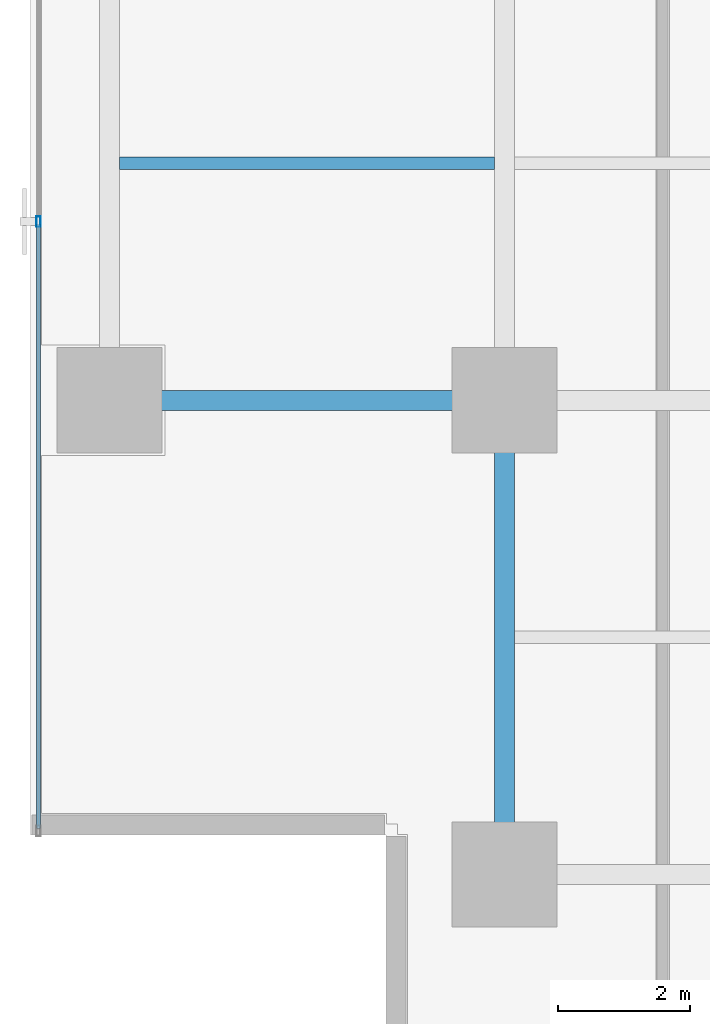
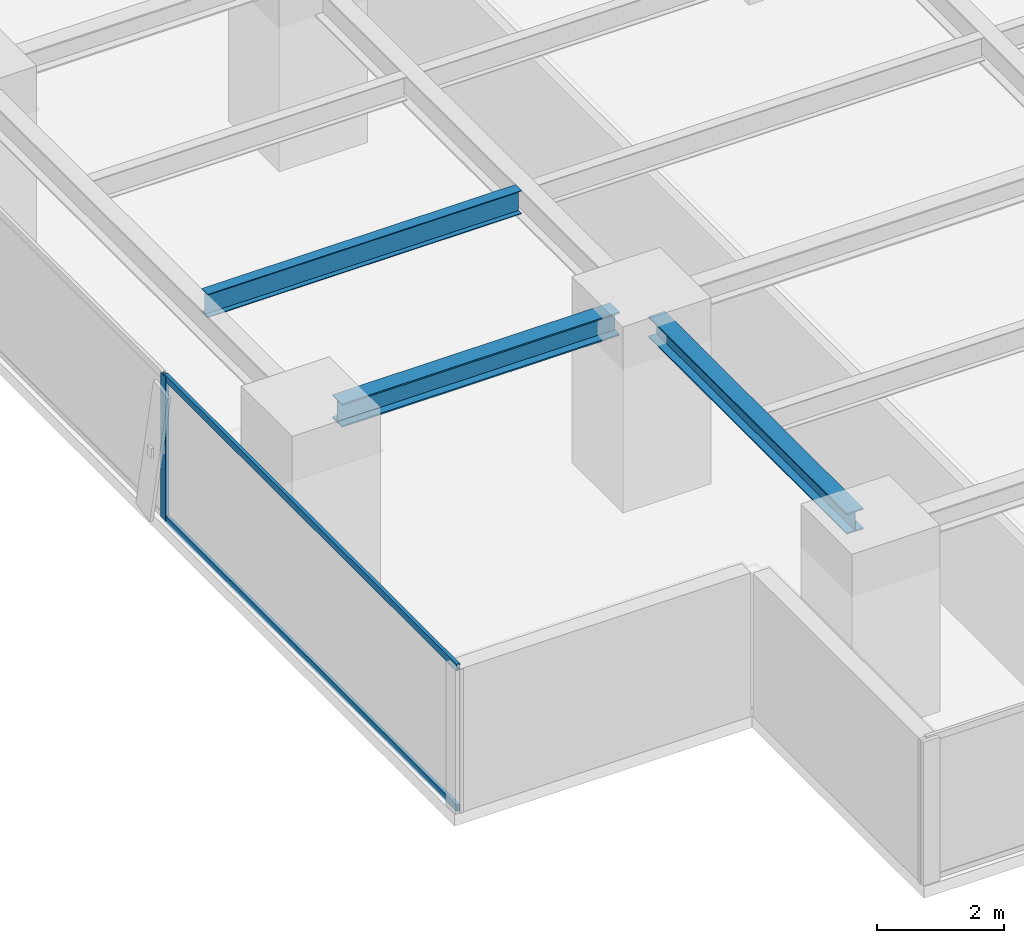
# One storey, part 3 of 27: 3 beams, 3 members, 1 element without a shape of its own.
"""IFC4 building model written with IfcOpenShell, lengths in metres."""

from ifc_helpers import new_model, si_unit, direction, frame, origin, origin_2d, place, context, subcontext, project, spatial, hollow_rectangle, i_section, extrude, source, transform, mapped, material, layer, layer_set, material_profile, profile_set, type_object, element, aggregate, save


model = new_model("IFC4")

# Units and contexts
model_context = context("Model", 3, precision=1e-05, world=origin(), true_north=direction((0.0, 1.0)))
body_context = subcontext(model_context, "Body", "Model", "MODEL_VIEW")
ifc_project = project(units=[si_unit("LENGTHUNIT", "METRE"), si_unit("AREAUNIT", "SQUARE_METRE"), si_unit("VOLUMEUNIT", "CUBIC_METRE"), si_unit("PLANEANGLEUNIT", "RADIAN"), si_unit("MASSUNIT", "GRAM", prefix="KILO")], contexts=[model_context])

# Site, building, storey
site_placement = place(None, origin())
site = spatial("IfcSite", under=ifc_project, at=site_placement, CompositionType="ELEMENT")
building_placement = place(site_placement, origin())
building = spatial("IfcBuilding", under=site, at=building_placement, Name="Sumidabori Civic Tower", CompositionType="ELEMENT")
storey_placement = place(building_placement, frame((0.0, 0.0, 160.39990234375)))
storey = spatial("IfcBuildingStorey", under=building, at=storey_placement, Name="L41", CompositionType="ELEMENT", Elevation=160.39990234375)

# Beams
ifc_material_1 = material(Name="Steel SN490", Category="steel")
ifc_material_profile_1 = material_profile(ifc_material_1, i_section(OverallWidth=0.300048828125, OverallDepth=0.39990234375, WebThickness=0.013427734375, FlangeThickness=0.02392578125, at=origin_2d()), Name="HE 400 B")
ifc_profile_set_1 = profile_set([ifc_material_profile_1], Name="Steel SN490")
beam_type_1 = type_object("IfcBeamType", Name="BM-GIRD-400", PredefinedType="BEAM", material=ifc_profile_set_1)
shared_shape_1 = source(origin(), body_context, "Body", "SweptSolid", [
    extrude(i_section(OverallWidth=0.300048828125, OverallDepth=0.39990234375, WebThickness=0.013427734375, FlangeThickness=0.02392578125, at=origin_2d()), origin(), (0.0, 0.0, 1.0), 6.239990234375),
])
beam_1_placement = place(storey_placement, frame((-16.800048828125, -17.52001953125, 3.18017578125), z_axis=(0.0, 1.0, 0.0), x_axis=(-1.0, 0.0, 0.0)))
element("IfcBeam", 1, at=beam_1_placement, inside=storey, type_object=beam_type_1, Name="Primary Girder L41 GY-22", PredefinedType="BEAM", context=body_context, shape_type="MappedRepresentation", body=[
    mapped(shared_shape_1, transform((0.0, 0.0, 0.0), x_axis=(1.0, 0.0, 0.0), y_axis=(0.0, 1.0, 0.0), z_axis=(0.0, 0.0, 1.0), scale=1.0)),
])
ifc_material_profile_2 = material_profile(ifc_material_1, i_section(OverallWidth=0.18994140625, OverallDepth=0.449951171875, WebThickness=0.009521484375, FlangeThickness=0.0146484375, at=origin_2d()), Name="IPE 450")
ifc_profile_set_2 = profile_set([ifc_material_profile_2], Name="Steel SN490")
beam_type_2 = type_object("IfcBeamType", Name="BM-JST-450", PredefinedType="JOIST", material=ifc_profile_set_2)
shared_shape_2 = source(origin(), body_context, "Body", "SweptSolid", [
    extrude(i_section(OverallWidth=0.18994140625, OverallDepth=0.449951171875, WebThickness=0.009521484375, FlangeThickness=0.0146484375, at=origin_2d()), origin(), (0.0, 0.0, 1.0), 5.699951171875),
])
beam_2_placement = place(storey_placement, frame((-22.64990234375, -7.199951171875, 3.155029296875), z_axis=(1.0, 0.0, 0.0), x_axis=(0.0, 1.0, 0.0)))
element("IfcBeam", 2, at=beam_2_placement, inside=storey, type_object=beam_type_2, Name="Outer Bay Floor Joist L41 JSTO-39", PredefinedType="JOIST", context=body_context, shape_type="MappedRepresentation", body=[
    mapped(shared_shape_2, transform((0.0, 0.0, 0.0), x_axis=(1.0, 0.0, 0.0), y_axis=(0.0, 1.0, 0.0), z_axis=(0.0, 0.0, 1.0), scale=1.0)),
])
ifc_material_profile_3 = material_profile(ifc_material_1, i_section(OverallWidth=0.300048828125, OverallDepth=0.449951171875, WebThickness=0.013916015625, FlangeThickness=0.02587890625, at=origin_2d()), Name="HE 450 B")
ifc_profile_set_3 = profile_set([ifc_material_profile_3], Name="Steel SN490")
beam_type_3 = type_object("IfcBeamType", Name="BM-GIRD-450", PredefinedType="BEAM", material=ifc_profile_set_3)
shared_shape_3 = source(origin(), body_context, "Body", "SweptSolid", [
    extrude(i_section(OverallWidth=0.300048828125, OverallDepth=0.449951171875, WebThickness=0.013916015625, FlangeThickness=0.02587890625, at=origin_2d()), origin(), (0.0, 0.0, 1.0), 5.0400390625),
])
beam_3_placement = place(storey_placement, frame((-22.320068359375, -10.800048828125, 3.155029296875), z_axis=(1.0, 0.0, 0.0), x_axis=(0.0, 1.0, 0.0)))
element("IfcBeam", 3, at=beam_3_placement, inside=storey, type_object=beam_type_3, Name="Primary Girder L41 GX-05", PredefinedType="BEAM", context=body_context, shape_type="MappedRepresentation", body=[
    mapped(shared_shape_3, transform((0.0, 0.0, 0.0), x_axis=(1.0, 0.0, 0.0), y_axis=(0.0, 1.0, 0.0), z_axis=(0.0, 0.0, 1.0), scale=1.0)),
])

# Curtain wall, members
ifc_material_2 = material(Name="Anodised Bronze Aluminium AW-6063-T6", Category="aluminium")
ifc_layer = layer(ifc_material_2, 0.179931640625, Name="Anodised Bronze Aluminium AW-6063-T6")
ifc_layer_set = layer_set([ifc_layer], Name="Anodised Bronze Aluminium AW-6063-T6")
curtain_wall_type = type_object("IfcCurtainWallType", Name="CW-SYS-3", PredefinedType="NOTDEFINED", material=ifc_layer_set)
curtain_wall_placement = place(storey_placement, origin())
curtain_wall = element("IfcCurtainWall", 4, at=curtain_wall_placement, inside=storey, type_object=curtain_wall_type, Name="Curtain Wall CW:L41:R10", PredefinedType="NOTDEFINED")
ifc_material_profile_4 = material_profile(ifc_material_2, hollow_rectangle(XDim=0.06494140625, YDim=0.159912109375, WallThickness=0.0048828125, at=origin_2d()), Name="ALU MULLION 160x65")
ifc_profile_set_4 = profile_set([ifc_material_profile_4], Name="Anodised Bronze Aluminium AW-6063-T6")
member_type_1 = type_object("IfcMemberType", Name="CW-MUL-160", PredefinedType="MULLION", material=ifc_profile_set_4)
shared_shape_4 = source(origin(), body_context, "Body", "SweptSolid", [
    extrude(hollow_rectangle(XDim=0.06494140625, YDim=0.159912109375, WallThickness=0.0048828125, at=origin_2d()), origin(), (0.0, 0.0, 1.0), 2.760009765625),
])
member_1_placement = place(storey_placement, frame((-23.8798828125, -8.0849609375, 0.0), z_axis=(0.0, 0.0, 1.0), x_axis=(1.0, 0.0, 0.0)))
member_1 = element("IfcMember", 5, at=member_1_placement, type_object=member_type_1, Name="CW-3 mullion 4", PredefinedType="MULLION", context=body_context, shape_type="MappedRepresentation", body=[
    mapped(shared_shape_4, transform((0.0, 0.0, 0.0), x_axis=(1.0, 0.0, 0.0), y_axis=(0.0, 1.0, 0.0), z_axis=(0.0, 0.0, 1.0), scale=1.0)),
])
ifc_material_profile_5 = material_profile(ifc_material_2, hollow_rectangle(XDim=0.06005859375, YDim=0.1298828125, WallThickness=0.0048828125, at=origin_2d()), Name="ALU TRANSOM 130x60")
ifc_profile_set_5 = profile_set([ifc_material_profile_5], Name="Anodised Bronze Aluminium AW-6063-T6")
member_type_2 = type_object("IfcMemberType", Name="CW-TRN-130", PredefinedType="USERDEFINED", material=ifc_profile_set_5)
shared_shape_5 = source(origin(), body_context, "Body", "SweptSolid", [
    extrude(hollow_rectangle(XDim=0.06005859375, YDim=0.1298828125, WallThickness=0.0048828125, at=origin_2d()), origin(), (0.0, 0.0, 1.0), 9.1875),
])
member_2_placement = place(storey_placement, frame((-23.8798828125, -8.117431640625, 0.030029296875), z_axis=(0.0, -1.0, 0.0), x_axis=(1.0, 0.0, 0.0)))
member_2 = element("IfcMember", 6, at=member_2_placement, type_object=member_type_2, Name="CW-3 transom 4.1", ObjectType="TRANSOM", PredefinedType="USERDEFINED", context=body_context, shape_type="MappedRepresentation", body=[
    mapped(shared_shape_5, transform((0.0, 0.0, 0.0), x_axis=(1.0, 0.0, 0.0), y_axis=(0.0, 1.0, 0.0), z_axis=(0.0, 0.0, 1.0), scale=1.0)),
])
member_3_placement = place(storey_placement, frame((-23.8798828125, -8.117431640625, 2.72998046875), z_axis=(0.0, -1.0, 0.0), x_axis=(1.0, 0.0, 0.0)))
member_3 = element("IfcMember", 7, at=member_3_placement, type_object=member_type_2, Name="CW-3 transom 4.2", ObjectType="TRANSOM", PredefinedType="USERDEFINED", context=body_context, shape_type="MappedRepresentation", body=[
    mapped(shared_shape_5, transform((0.0, 0.0, 0.0), x_axis=(1.0, 0.0, 0.0), y_axis=(0.0, 1.0, 0.0), z_axis=(0.0, 0.0, 1.0), scale=1.0)),
])
aggregate(curtain_wall, [member_1, member_2, member_3])

save(model, "model.ifc")
